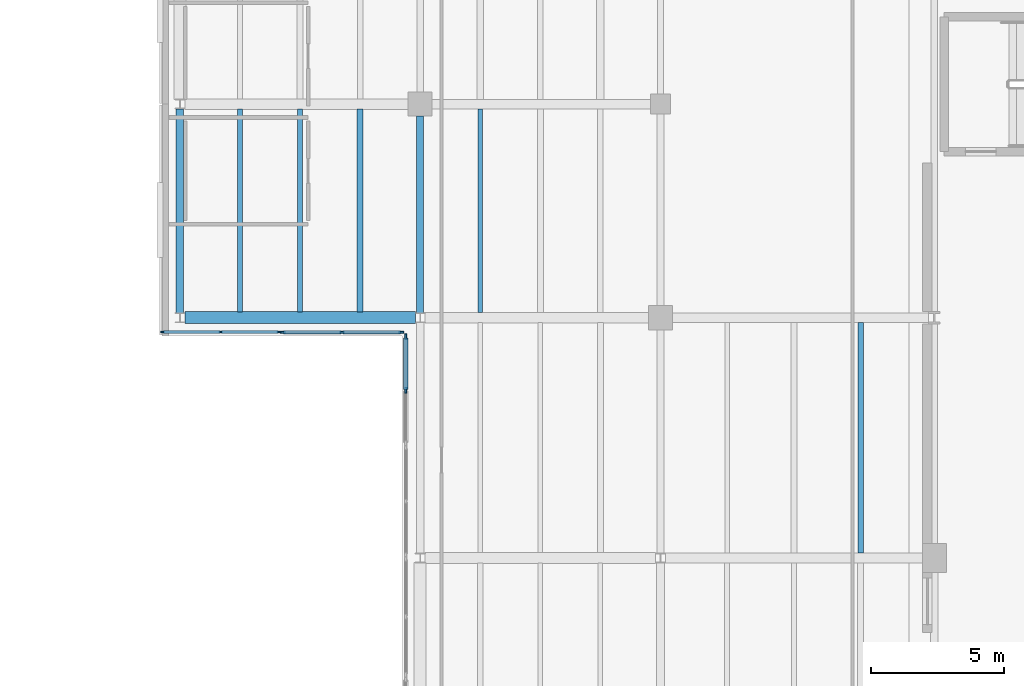
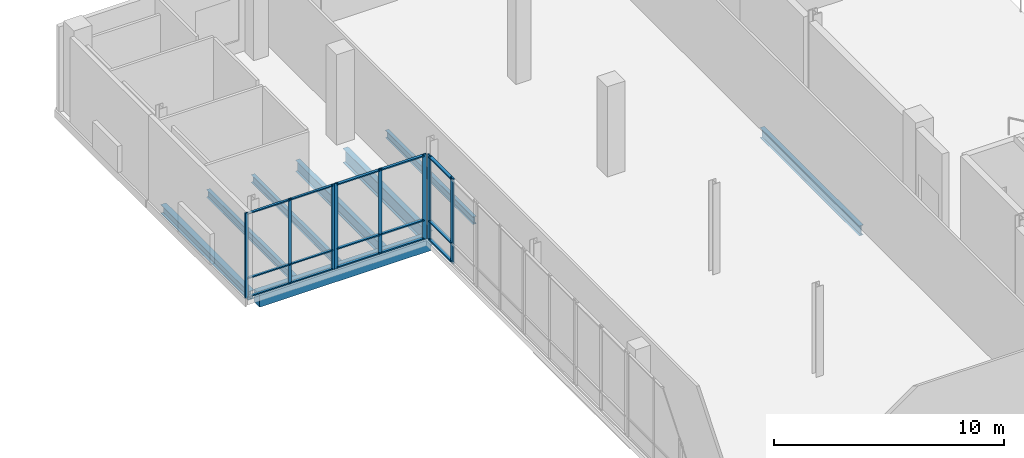
# One storey, part 23 of 41: 23 members, 8 beams, 3 elements without a shape of their own.
"""IFC4 building model written with IfcOpenShell, lengths in metres."""

from ifc_helpers import new_model, si_unit, direction, frame, origin, origin_2d, place, context, subcontext, project, spatial, rectangle, i_section, extrude, material, material_profile, profile_set, type_object, element, aggregate, save


model = new_model("IFC4")

# Units and contexts
model_context = context("Model", 3, precision=1e-05, world=origin(), true_north=direction((0.0, 1.0)))
body_context = subcontext(model_context, "Body", "Model", "MODEL_VIEW")
ifc_project = project(units=[si_unit("LENGTHUNIT", "METRE"), si_unit("AREAUNIT", "SQUARE_METRE"), si_unit("VOLUMEUNIT", "CUBIC_METRE"), si_unit("PLANEANGLEUNIT", "RADIAN"), si_unit("MASSUNIT", "GRAM", prefix="KILO")], contexts=[model_context])

# Site, building, storey
site_placement = place(None, origin())
site = spatial("IfcSite", under=ifc_project, at=site_placement, CompositionType="ELEMENT")
building_placement = place(site_placement, origin())
building = spatial("IfcBuilding", under=site, at=building_placement, Name="Trimount Lyric Opera House", CompositionType="ELEMENT")
storey_placement = place(building_placement, frame((0.0, 0.0, 20.0)))
storey = spatial("IfcBuildingStorey", under=building, at=storey_placement, Name="L04", CompositionType="ELEMENT", Elevation=20.0)

# Beams
ifc_material_1 = material(Name="Steel ASTM A992 Grade 50", Category="steel")
ifc_material_profile_1 = material_profile(ifc_material_1, i_section(OverallWidth=0.26708984375, OverallDepth=0.761962890625, WebThickness=0.014404296875, FlangeThickness=0.021484375, FilletRadius=0.01708984375, at=origin_2d()), Name="W30X116")
ifc_profile_set_1 = profile_set([ifc_material_profile_1], Name="Steel ASTM A992 Grade 50")
beam_type_1 = type_object("IfcBeamType", Name="B-07", PredefinedType="BEAM", material=ifc_profile_set_1)
beam_1_placement = place(storey_placement, frame((45.0, 102.177978515625, -0.660888671875), z_axis=(0.0, 1.0, 0.0), x_axis=(-1.0, 0.0, 0.0)))
element("IfcBeam", 1, at=beam_1_placement, inside=storey, type_object=beam_type_1, Name="L04 girder Y-1204", PredefinedType="BEAM", context=body_context, shape_type="SweptSolid", body=[
    extrude(i_section(OverallWidth=0.26708984375, OverallDepth=0.761962890625, WebThickness=0.014404296875, FlangeThickness=0.021484375, FilletRadius=0.01708984375, at=origin_2d()), origin(), (0.0, 0.0, 1.0), 7.3720703125),
])
ifc_material_2 = material(Name="Steel ASTM A992 Grade 50", Category="steel")
ifc_material_profile_2 = material_profile(ifc_material_2, i_section(OverallWidth=0.22802734375, OverallDepth=0.60205078125, WebThickness=0.010498046875, FlangeThickness=0.014892578125, FilletRadius=0.012939453125, at=origin_2d()), Name="W24X68")
ifc_profile_set_2 = profile_set([ifc_material_profile_2], Name="Steel ASTM A992 Grade 50")
beam_type_2 = type_object("IfcBeamType", Name="J-01", PredefinedType="BEAM", material=ifc_profile_set_2)
beam_2_placement = place(storey_placement, frame((42.75, 102.220947265625, -0.5810546875), z_axis=(0.0, 1.0, 0.0), x_axis=(-1.0, 0.0, 0.0)))
element("IfcBeam", 2, at=beam_2_placement, inside=storey, type_object=beam_type_2, Name="L04 composite floor joist 1149", PredefinedType="BEAM", context=body_context, shape_type="SweptSolid", body=[
    extrude(i_section(OverallWidth=0.22802734375, OverallDepth=0.60205078125, WebThickness=0.010498046875, FlangeThickness=0.014892578125, FilletRadius=0.012939453125, at=origin_2d()), origin(), (0.0, 0.0, 1.0), 7.592041015625),
])
ifc_material_3 = material(Name="Steel ASTM A992 Grade 50", Category="steel")
ifc_material_profile_3 = material_profile(ifc_material_3, i_section(OverallWidth=0.2099609375, OverallDepth=0.532958984375, WebThickness=0.01025390625, FlangeThickness=0.015625, FilletRadius=0.012939453125, at=origin_2d()), Name="W21X62")
ifc_profile_set_3 = profile_set([ifc_material_profile_3], Name="Steel ASTM A992 Grade 50")
beam_type_3 = type_object("IfcBeamType", Name="J-02", PredefinedType="BEAM", material=ifc_profile_set_3)
beam_3_placement = place(storey_placement, frame((61.5, 93.18701171875, -0.54638671875), z_axis=(0.0, 1.0, 0.0), x_axis=(-1.0, 0.0, 0.0)))
element("IfcBeam", 3, at=beam_3_placement, inside=storey, type_object=beam_type_3, Name="L04 composite floor joist 1197", PredefinedType="BEAM", context=body_context, shape_type="SweptSolid", body=[
    extrude(i_section(OverallWidth=0.2099609375, OverallDepth=0.532958984375, WebThickness=0.01025390625, FlangeThickness=0.015625, FilletRadius=0.012939453125, at=origin_2d()), origin(), (0.0, 0.0, 1.0), 8.638916015625),
])
ifc_material_4 = material(Name="Steel ASTM A992 Grade 50", Category="steel")
ifc_material_profile_4 = material_profile(ifc_material_4, i_section(OverallWidth=0.180908203125, OverallDepth=0.4169921875, WebThickness=0.010986328125, FlangeThickness=0.018310546875, FilletRadius=0.010986328125, at=origin_2d()), Name="W16X57")
ifc_profile_set_4 = profile_set([ifc_material_profile_4], Name="Steel ASTM A992 Grade 50")
beam_type_4 = type_object("IfcBeamType", Name="J-05", PredefinedType="BEAM", material=ifc_profile_set_4)
beam_4_placement = place(storey_placement, frame((38.25, 102.220947265625, -0.488525390625), z_axis=(0.0, 1.0, 0.0), x_axis=(-1.0, 0.0, 0.0)))
element("IfcBeam", 4, at=beam_4_placement, inside=storey, type_object=beam_type_4, Name="L04 composite floor joist 1147", PredefinedType="BEAM", context=body_context, shape_type="SweptSolid", body=[
    extrude(i_section(OverallWidth=0.180908203125, OverallDepth=0.4169921875, WebThickness=0.010986328125, FlangeThickness=0.018310546875, FilletRadius=0.010986328125, at=origin_2d()), origin(), (0.0, 0.0, 1.0), 7.592041015625),
])
ifc_material_5 = material(Name="Steel ASTM A992 Grade 50", Category="steel")
ifc_material_profile_5 = material_profile(ifc_material_5, i_section(OverallWidth=0.177978515625, OverallDepth=0.404052734375, WebThickness=0.007568359375, FlangeThickness=0.010986328125, FilletRadius=0.010009765625, at=origin_2d()), Name="W16X36")
ifc_profile_set_5 = profile_set([ifc_material_profile_5], Name="Steel ASTM A992 Grade 50")
beam_type_5 = type_object("IfcBeamType", Name="J-06", PredefinedType="BEAM", material=ifc_profile_set_5)
beam_5_placement = place(storey_placement, frame((40.5, 102.220947265625, -0.48193359375), z_axis=(0.0, 1.0, 0.0), x_axis=(-1.0, 0.0, 0.0)))
element("IfcBeam", 5, at=beam_5_placement, inside=storey, type_object=beam_type_5, Name="L04 composite floor joist 1148", PredefinedType="BEAM", context=body_context, shape_type="SweptSolid", body=[
    extrude(i_section(OverallWidth=0.177978515625, OverallDepth=0.404052734375, WebThickness=0.007568359375, FlangeThickness=0.010986328125, FilletRadius=0.010009765625, at=origin_2d()), origin(), (0.0, 0.0, 1.0), 7.592041015625),
])
beam_6_placement = place(storey_placement, frame((47.25, 102.18701171875, -0.48193359375), z_axis=(0.0, 1.0, 0.0), x_axis=(-1.0, 0.0, 0.0)))
element("IfcBeam", 6, at=beam_6_placement, inside=storey, type_object=beam_type_5, Name="L04 composite floor joist 1177", PredefinedType="BEAM", context=body_context, shape_type="SweptSolid", body=[
    extrude(i_section(OverallWidth=0.177978515625, OverallDepth=0.404052734375, WebThickness=0.007568359375, FlangeThickness=0.010986328125, FilletRadius=0.010009765625, at=origin_2d()), origin(), (0.0, 0.0, 1.0), 7.638916015625),
])

# Curtain wall, members
ifc_material_6 = material(Name="Thermally Broken Aluminium and Low-E Glass", Category="aluminium")
curtain_wall_type = type_object("IfcCurtainWallType", Name="CW-03", PredefinedType="NOTDEFINED", material=ifc_material_6)
curtain_wall_1_placement = place(storey_placement, origin())
curtain_wall_1 = element("IfcCurtainWall", 7, at=curtain_wall_1_placement, inside=storey, type_object=curtain_wall_type, Name="L04 curtain wall 318", PredefinedType="NOTDEFINED")
ifc_material_7 = material(Name="Anodised Aluminium 6063-T6", Category="aluminium")
ifc_material_profile_6 = material_profile(ifc_material_7, rectangle(XDim=0.070068359375, YDim=0.219970703125, at=origin_2d()), Name="ALU-MULL-70X220")
ifc_profile_set_6 = profile_set([ifc_material_profile_6], Name="Anodised Aluminium 6063-T6")
member_type_1 = type_object("IfcMemberType", Name="ML-01", PredefinedType="MULLION", material=ifc_profile_set_6)
member_1_placement = place(storey_placement, frame((44.4599609375, 99.284912109375, 0.0), z_axis=(0.0, 0.0, 1.0), x_axis=(-1.0, 0.0, 0.0)))
member_1 = element("IfcMember", 8, at=member_1_placement, type_object=member_type_1, Name="CW-03 mullion 2", PredefinedType="MULLION", context=body_context, shape_type="SweptSolid", body=[
    extrude(rectangle(XDim=0.070068359375, YDim=0.219970703125, at=origin_2d()), origin(), (0.0, 0.0, 1.0), 4.5400390625),
])
member_2_placement = place(storey_placement, frame((44.4599609375, 101.284912109375, 0.0), z_axis=(0.0, 0.0, 1.0), x_axis=(-1.0, 0.0, 0.0)))
member_2 = element("IfcMember", 9, at=member_2_placement, type_object=member_type_1, Name="CW-03 mullion 3", PredefinedType="MULLION", context=body_context, shape_type="SweptSolid", body=[
    extrude(rectangle(XDim=0.070068359375, YDim=0.219970703125, at=origin_2d()), origin(), (0.0, 0.0, 1.0), 4.5400390625),
])

curtain_wall_2_placement = place(storey_placement, origin())
curtain_wall_2 = element("IfcCurtainWall", 10, at=curtain_wall_2_placement, inside=storey, type_object=curtain_wall_type, Name="L04 curtain wall 319", PredefinedType="NOTDEFINED")
ifc_material_8 = material(Name="Anodised Aluminium 6063-T6", Category="aluminium")
ifc_material_profile_7 = material_profile(ifc_material_8, rectangle(XDim=0.06494140625, YDim=0.179931640625, at=origin_2d()), Name="ALU-MULL-65X180")
ifc_profile_set_7 = profile_set([ifc_material_profile_7], Name="Anodised Aluminium 6063-T6")
member_type_2 = type_object("IfcMemberType", Name="ML-02", PredefinedType="MULLION", material=ifc_profile_set_7)
member_3_placement = place(storey_placement, frame((44.28759765625, 101.4599609375, 0.0), z_axis=(0.0, 0.0, 1.0), x_axis=(0.0, -1.0, 0.0)))
member_3 = element("IfcMember", 11, at=member_3_placement, type_object=member_type_2, Name="CW-03 mullion 1", PredefinedType="MULLION", context=body_context, shape_type="SweptSolid", body=[
    extrude(rectangle(XDim=0.06494140625, YDim=0.179931640625, at=origin_2d()), origin(), (0.0, 0.0, 1.0), 4.5400390625),
])
member_4_placement = place(storey_placement, frame((42.070068359375, 101.4599609375, 0.0), z_axis=(0.0, 0.0, 1.0), x_axis=(0.0, -1.0, 0.0)))
member_4 = element("IfcMember", 12, at=member_4_placement, type_object=member_type_2, Name="CW-03 mullion 2", PredefinedType="MULLION", context=body_context, shape_type="SweptSolid", body=[
    extrude(rectangle(XDim=0.06494140625, YDim=0.179931640625, at=origin_2d()), origin(), (0.0, 0.0, 1.0), 4.5400390625),
])
member_5_placement = place(storey_placement, frame((39.8525390625, 101.4599609375, 0.0), z_axis=(0.0, 0.0, 1.0), x_axis=(0.0, -1.0, 0.0)))
member_5 = element("IfcMember", 13, at=member_5_placement, type_object=member_type_2, Name="CW-03 mullion 3", PredefinedType="MULLION", context=body_context, shape_type="SweptSolid", body=[
    extrude(rectangle(XDim=0.06494140625, YDim=0.179931640625, at=origin_2d()), origin(), (0.0, 0.0, 1.0), 4.5400390625),
])

curtain_wall_3_placement = place(storey_placement, origin())
curtain_wall_3 = element("IfcCurtainWall", 14, at=curtain_wall_3_placement, inside=storey, type_object=curtain_wall_type, Name="L04 curtain wall 320", PredefinedType="NOTDEFINED")
ifc_material_9 = material(Name="Anodised Aluminium 6063-T6", Category="aluminium")
ifc_material_profile_8 = material_profile(ifc_material_9, rectangle(XDim=0.06005859375, YDim=0.14990234375, at=origin_2d()), Name="ALU-MULL-60X150")
ifc_profile_set_8 = profile_set([ifc_material_profile_8], Name="Anodised Aluminium 6063-T6")
member_type_3 = type_object("IfcMemberType", Name="ML-03", PredefinedType="MULLION", material=ifc_profile_set_8)
member_6_placement = place(storey_placement, frame((39.699951171875, 101.4599609375, 0.0), z_axis=(0.0, 0.0, 1.0), x_axis=(0.0, -1.0, 0.0)))
member_6 = element("IfcMember", 15, at=member_6_placement, type_object=member_type_3, Name="CW-03 mullion 1", PredefinedType="MULLION", context=body_context, shape_type="SweptSolid", body=[
    extrude(rectangle(XDim=0.06005859375, YDim=0.14990234375, at=origin_2d()), origin(), (0.0, 0.0, 1.0), 4.5400390625),
])
member_7_placement = place(storey_placement, frame((37.52490234375, 101.4599609375, 0.0), z_axis=(0.0, 0.0, 1.0), x_axis=(0.0, -1.0, 0.0)))
member_7 = element("IfcMember", 16, at=member_7_placement, type_object=member_type_3, Name="CW-03 mullion 2", PredefinedType="MULLION", context=body_context, shape_type="SweptSolid", body=[
    extrude(rectangle(XDim=0.06005859375, YDim=0.14990234375, at=origin_2d()), origin(), (0.0, 0.0, 1.0), 4.5400390625),
])
member_8_placement = place(storey_placement, frame((35.35009765625, 101.4599609375, 0.0), z_axis=(0.0, 0.0, 1.0), x_axis=(0.0, -1.0, 0.0)))
member_8 = element("IfcMember", 17, at=member_8_placement, type_object=member_type_3, Name="CW-03 mullion 3", PredefinedType="MULLION", context=body_context, shape_type="SweptSolid", body=[
    extrude(rectangle(XDim=0.06005859375, YDim=0.14990234375, at=origin_2d()), origin(), (0.0, 0.0, 1.0), 4.5400390625),
])

# Beams
ifc_material_10 = material(Name="Steel ASTM A992 Grade 50", Category="steel")
ifc_material_profile_9 = material_profile(ifc_material_10, i_section(OverallWidth=0.281982421875, OverallDepth=0.467041015625, WebThickness=0.01220703125, FlangeThickness=0.01953125, FilletRadius=0.012939453125, at=origin_2d()), Name="W18X86")
ifc_profile_set_9 = profile_set([ifc_material_profile_9], Name="Steel ASTM A992 Grade 50")
beam_type_6 = type_object("IfcBeamType", Name="SP-01", PredefinedType="SPANDREL", material=ifc_profile_set_9)
beam_7_placement = place(storey_placement, frame((36.0, 102.177978515625, -0.513427734375), z_axis=(0.0, 1.0, 0.0), x_axis=(-1.0, 0.0, 0.0)))
element("IfcBeam", 18, at=beam_7_placement, inside=storey, type_object=beam_type_6, Name="L04 girder Y-1194", PredefinedType="SPANDREL", context=body_context, shape_type="SweptSolid", body=[
    extrude(i_section(OverallWidth=0.281982421875, OverallDepth=0.467041015625, WebThickness=0.01220703125, FlangeThickness=0.01953125, FilletRadius=0.012939453125, at=origin_2d()), origin(), (0.0, 0.0, 1.0), 7.64404296875),
])
ifc_material_11 = material(Name="Concrete C40/50", Category="concrete")
ifc_material_profile_10 = material_profile(ifc_material_11, rectangle(XDim=0.449951171875, YDim=0.699951171875, at=origin_2d()), Name="RC450X700")
ifc_profile_set_10 = profile_set([ifc_material_profile_10], Name="Concrete C40/50")
beam_type_7 = type_object("IfcBeamType", Name="SP-02", PredefinedType="SPANDREL", material=ifc_profile_set_10)
beam_8_placement = place(storey_placement, frame((36.18408203125, 102.0, -0.6298828125), z_axis=(1.0, 0.0, 0.0), x_axis=(0.0, 1.0, 0.0)))
element("IfcBeam", 19, at=beam_8_placement, inside=storey, type_object=beam_type_7, Name="L04 girder X-1174", PredefinedType="SPANDREL", context=body_context, shape_type="SweptSolid", body=[
    extrude(rectangle(XDim=0.449951171875, YDim=0.699951171875, at=origin_2d()), origin(), (0.0, 0.0, 1.0), 8.6318359375),
])

# Member
ifc_material_12 = material(Name="Anodised Aluminium 6063-T6", Category="aluminium")
ifc_material_profile_11 = material_profile(ifc_material_12, rectangle(XDim=0.159912109375, YDim=0.070068359375, at=origin_2d()), Name="ALU-TRAN-70X160")
ifc_profile_set_11 = profile_set([ifc_material_profile_11], Name="Anodised Aluminium 6063-T6")
member_type_4 = type_object("IfcMemberType", Name="TR-01", PredefinedType="USERDEFINED", material=ifc_profile_set_11)
member_9_placement = place(storey_placement, frame((44.4599609375, 99.320068359375, 0.080078125), z_axis=(0.0, 1.0, 0.0), x_axis=(-1.0, 0.0, 0.0)))
member_9 = element("IfcMember", 20, at=member_9_placement, type_object=member_type_4, Name="CW-03 transom 2.1", ObjectType="TRANSOM", PredefinedType="USERDEFINED", context=body_context, shape_type="SweptSolid", body=[
    extrude(rectangle(XDim=0.159912109375, YDim=0.070068359375, at=origin_2d()), origin(), (0.0, 0.0, 1.0), 1.929931640625),
])

member_10_placement = place(storey_placement, frame((44.4599609375, 99.320068359375, 1.050048828125), z_axis=(0.0, 1.0, 0.0), x_axis=(-1.0, 0.0, 0.0)))
member_10 = element("IfcMember", 21, at=member_10_placement, type_object=member_type_4, Name="CW-03 transom 2.2", ObjectType="TRANSOM", PredefinedType="USERDEFINED", context=body_context, shape_type="SweptSolid", body=[
    extrude(rectangle(XDim=0.159912109375, YDim=0.070068359375, at=origin_2d()), origin(), (0.0, 0.0, 1.0), 1.929931640625),
])

member_11_placement = place(storey_placement, frame((44.4599609375, 99.320068359375, 4.4599609375), z_axis=(0.0, 1.0, 0.0), x_axis=(-1.0, 0.0, 0.0)))
member_11 = element("IfcMember", 22, at=member_11_placement, type_object=member_type_4, Name="CW-03 transom 2.3", ObjectType="TRANSOM", PredefinedType="USERDEFINED", context=body_context, shape_type="SweptSolid", body=[
    extrude(rectangle(XDim=0.159912109375, YDim=0.070068359375, at=origin_2d()), origin(), (0.0, 0.0, 1.0), 1.929931640625),
])

aggregate(curtain_wall_1, [member_1, member_2, member_9, member_10, member_11])

ifc_material_13 = material(Name="Anodised Aluminium 6063-T6", Category="aluminium")
ifc_material_profile_12 = material_profile(ifc_material_13, rectangle(XDim=0.135009765625, YDim=0.06494140625, at=origin_2d()), Name="ALU-TRAN-65X135")
ifc_profile_set_12 = profile_set([ifc_material_profile_12], Name="Anodised Aluminium 6063-T6")
member_type_5 = type_object("IfcMemberType", Name="TR-02", PredefinedType="USERDEFINED", material=ifc_profile_set_12)
member_12_placement = place(storey_placement, frame((44.2548828125, 101.4599609375, 0.0673828125), z_axis=(-1.0, 0.0, 0.0), x_axis=(0.0, -1.0, 0.0)))
member_12 = element("IfcMember", 23, at=member_12_placement, type_object=member_type_5, Name="CW-03 transom 1.1", ObjectType="TRANSOM", PredefinedType="USERDEFINED", context=body_context, shape_type="SweptSolid", body=[
    extrude(rectangle(XDim=0.135009765625, YDim=0.06494140625, at=origin_2d()), origin(), (0.0, 0.0, 1.0), 2.15234375),
])

member_13_placement = place(storey_placement, frame((44.2548828125, 101.4599609375, 1.050048828125), z_axis=(-1.0, 0.0, 0.0), x_axis=(0.0, -1.0, 0.0)))
member_13 = element("IfcMember", 24, at=member_13_placement, type_object=member_type_5, Name="CW-03 transom 1.2", ObjectType="TRANSOM", PredefinedType="USERDEFINED", context=body_context, shape_type="SweptSolid", body=[
    extrude(rectangle(XDim=0.135009765625, YDim=0.06494140625, at=origin_2d()), origin(), (0.0, 0.0, 1.0), 2.15234375),
])

member_14_placement = place(storey_placement, frame((44.2548828125, 101.4599609375, 4.472412109375), z_axis=(-1.0, 0.0, 0.0), x_axis=(0.0, -1.0, 0.0)))
member_14 = element("IfcMember", 25, at=member_14_placement, type_object=member_type_5, Name="CW-03 transom 1.3", ObjectType="TRANSOM", PredefinedType="USERDEFINED", context=body_context, shape_type="SweptSolid", body=[
    extrude(rectangle(XDim=0.135009765625, YDim=0.06494140625, at=origin_2d()), origin(), (0.0, 0.0, 1.0), 2.15234375),
])

member_15_placement = place(storey_placement, frame((42.03759765625, 101.4599609375, 0.0673828125), z_axis=(-1.0, 0.0, 0.0), x_axis=(0.0, -1.0, 0.0)))
member_15 = element("IfcMember", 26, at=member_15_placement, type_object=member_type_5, Name="CW-03 transom 2.1", ObjectType="TRANSOM", PredefinedType="USERDEFINED", context=body_context, shape_type="SweptSolid", body=[
    extrude(rectangle(XDim=0.135009765625, YDim=0.06494140625, at=origin_2d()), origin(), (0.0, 0.0, 1.0), 2.152587890625),
])

member_16_placement = place(storey_placement, frame((42.03759765625, 101.4599609375, 1.050048828125), z_axis=(-1.0, 0.0, 0.0), x_axis=(0.0, -1.0, 0.0)))
member_16 = element("IfcMember", 27, at=member_16_placement, type_object=member_type_5, Name="CW-03 transom 2.2", ObjectType="TRANSOM", PredefinedType="USERDEFINED", context=body_context, shape_type="SweptSolid", body=[
    extrude(rectangle(XDim=0.135009765625, YDim=0.06494140625, at=origin_2d()), origin(), (0.0, 0.0, 1.0), 2.152587890625),
])

member_17_placement = place(storey_placement, frame((42.03759765625, 101.4599609375, 4.472412109375), z_axis=(-1.0, 0.0, 0.0), x_axis=(0.0, -1.0, 0.0)))
member_17 = element("IfcMember", 28, at=member_17_placement, type_object=member_type_5, Name="CW-03 transom 2.3", ObjectType="TRANSOM", PredefinedType="USERDEFINED", context=body_context, shape_type="SweptSolid", body=[
    extrude(rectangle(XDim=0.135009765625, YDim=0.06494140625, at=origin_2d()), origin(), (0.0, 0.0, 1.0), 2.152587890625),
])

aggregate(curtain_wall_2, [member_3, member_4, member_5, member_12, member_13, member_14, member_15, member_16, member_17])

ifc_material_14 = material(Name="Anodised Aluminium 6063-T6", Category="aluminium")
ifc_material_profile_13 = material_profile(ifc_material_14, rectangle(XDim=0.114990234375, YDim=0.06005859375, at=origin_2d()), Name="ALU-TRAN-60X115")
ifc_profile_set_13 = profile_set([ifc_material_profile_13], Name="Anodised Aluminium 6063-T6")
member_type_6 = type_object("IfcMemberType", Name="TR-03", PredefinedType="USERDEFINED", material=ifc_profile_set_13)
member_18_placement = place(storey_placement, frame((39.669921875, 101.4599609375, 0.0576171875), z_axis=(-1.0, 0.0, 0.0), x_axis=(0.0, -1.0, 0.0)))
member_18 = element("IfcMember", 29, at=member_18_placement, type_object=member_type_6, Name="CW-03 transom 1.1", ObjectType="TRANSOM", PredefinedType="USERDEFINED", context=body_context, shape_type="SweptSolid", body=[
    extrude(rectangle(XDim=0.114990234375, YDim=0.06005859375, at=origin_2d()), origin(), (0.0, 0.0, 1.0), 2.114990234375),
])

member_19_placement = place(storey_placement, frame((39.669921875, 101.4599609375, 1.050048828125), z_axis=(-1.0, 0.0, 0.0), x_axis=(0.0, -1.0, 0.0)))
member_19 = element("IfcMember", 30, at=member_19_placement, type_object=member_type_6, Name="CW-03 transom 1.2", ObjectType="TRANSOM", PredefinedType="USERDEFINED", context=body_context, shape_type="SweptSolid", body=[
    extrude(rectangle(XDim=0.114990234375, YDim=0.06005859375, at=origin_2d()), origin(), (0.0, 0.0, 1.0), 2.114990234375),
])

member_20_placement = place(storey_placement, frame((39.669921875, 101.4599609375, 4.482421875), z_axis=(-1.0, 0.0, 0.0), x_axis=(0.0, -1.0, 0.0)))
member_20 = element("IfcMember", 31, at=member_20_placement, type_object=member_type_6, Name="CW-03 transom 1.3", ObjectType="TRANSOM", PredefinedType="USERDEFINED", context=body_context, shape_type="SweptSolid", body=[
    extrude(rectangle(XDim=0.114990234375, YDim=0.06005859375, at=origin_2d()), origin(), (0.0, 0.0, 1.0), 2.114990234375),
])

member_21_placement = place(storey_placement, frame((37.4951171875, 101.4599609375, 0.0576171875), z_axis=(-1.0, 0.0, 0.0), x_axis=(0.0, -1.0, 0.0)))
member_21 = element("IfcMember", 32, at=member_21_placement, type_object=member_type_6, Name="CW-03 transom 2.1", ObjectType="TRANSOM", PredefinedType="USERDEFINED", context=body_context, shape_type="SweptSolid", body=[
    extrude(rectangle(XDim=0.114990234375, YDim=0.06005859375, at=origin_2d()), origin(), (0.0, 0.0, 1.0), 2.115234375),
])

member_22_placement = place(storey_placement, frame((37.4951171875, 101.4599609375, 1.050048828125), z_axis=(-1.0, 0.0, 0.0), x_axis=(0.0, -1.0, 0.0)))
member_22 = element("IfcMember", 33, at=member_22_placement, type_object=member_type_6, Name="CW-03 transom 2.2", ObjectType="TRANSOM", PredefinedType="USERDEFINED", context=body_context, shape_type="SweptSolid", body=[
    extrude(rectangle(XDim=0.114990234375, YDim=0.06005859375, at=origin_2d()), origin(), (0.0, 0.0, 1.0), 2.115234375),
])

member_23_placement = place(storey_placement, frame((37.4951171875, 101.4599609375, 4.482421875), z_axis=(-1.0, 0.0, 0.0), x_axis=(0.0, -1.0, 0.0)))
member_23 = element("IfcMember", 34, at=member_23_placement, type_object=member_type_6, Name="CW-03 transom 2.3", ObjectType="TRANSOM", PredefinedType="USERDEFINED", context=body_context, shape_type="SweptSolid", body=[
    extrude(rectangle(XDim=0.114990234375, YDim=0.06005859375, at=origin_2d()), origin(), (0.0, 0.0, 1.0), 2.115234375),
])

aggregate(curtain_wall_3, [member_6, member_7, member_8, member_18, member_19, member_20, member_21, member_22, member_23])

save(model, "model.ifc")
